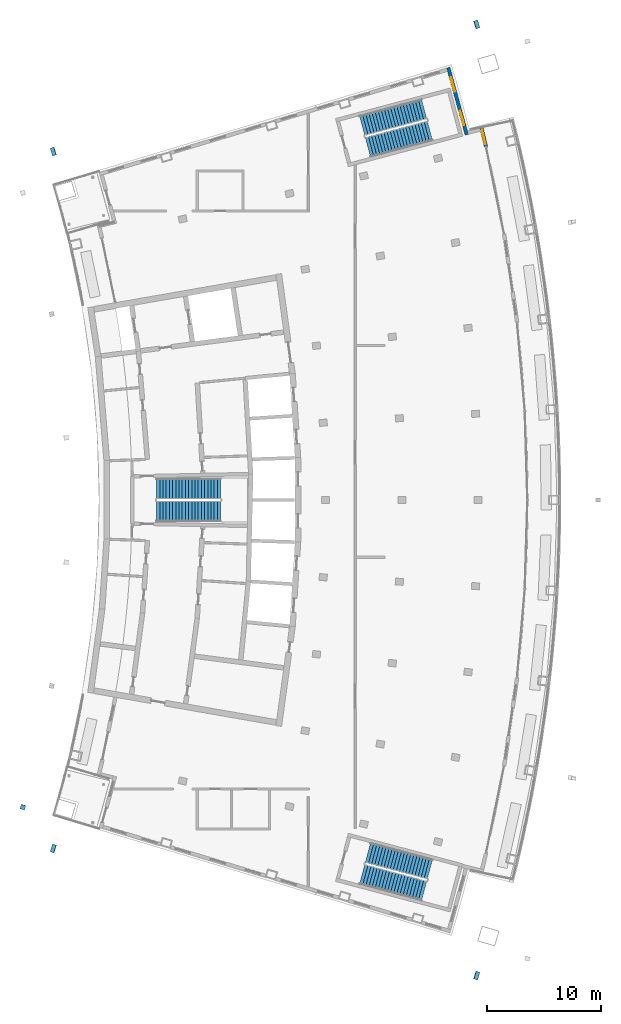
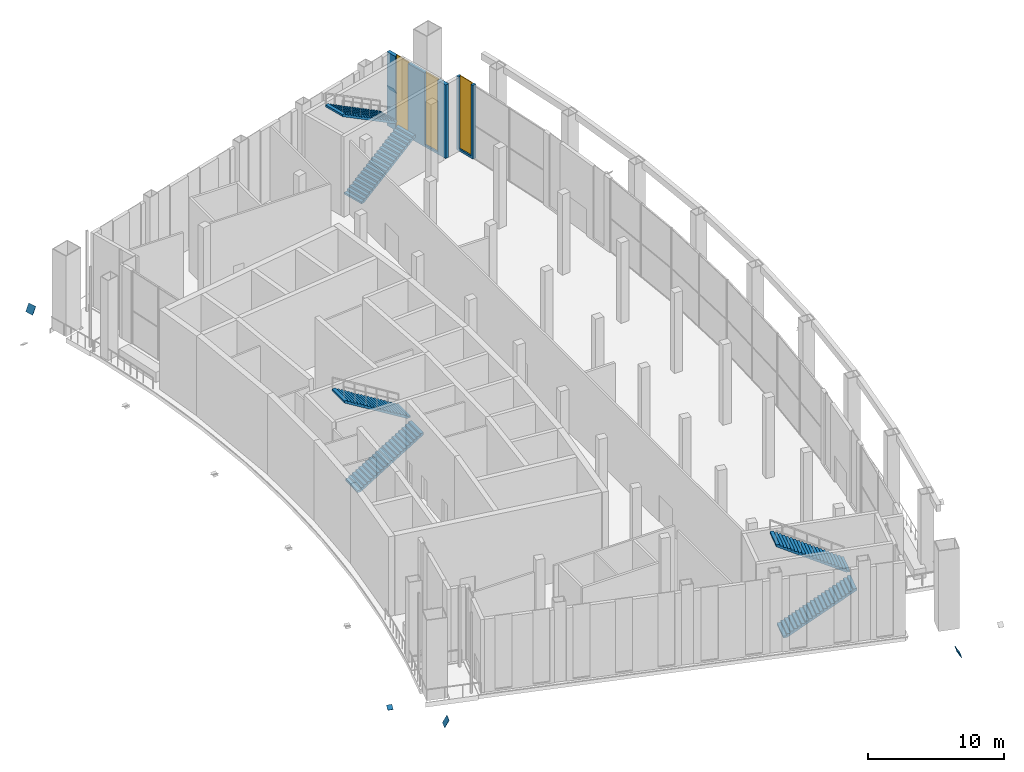
# One storey, part 17 of 25: 6 stair flights, 5 discrete accessories, 3 windows, 2 walls, 3 openings, 3 elements without a shape of their own.
"""IFC4 building model written with IfcOpenShell, lengths in metres."""

from ifc_helpers import new_model, si_unit, direction, frame, frame_2d, origin, origin_2d, place, context, subcontext, project, spatial, polyline, rectangle, outline, extrude, material, layer, layer_set, material_profile, profile_set, type_object, element, fill, aggregate, save


model = new_model("IFC4")

# Units and contexts
model_context = context("Model", 3, precision=1e-05, world=origin(), true_north=direction((0.0, 1.0)))
body_context = subcontext(model_context, "Body", "Model", "MODEL_VIEW")
ifc_project = project(units=[si_unit("LENGTHUNIT", "METRE"), si_unit("AREAUNIT", "SQUARE_METRE"), si_unit("VOLUMEUNIT", "CUBIC_METRE"), si_unit("PLANEANGLEUNIT", "RADIAN"), si_unit("MASSUNIT", "GRAM", prefix="KILO")], contexts=[model_context])

# Site, building, storey
site_placement = place(None, origin())
site = spatial("IfcSite", under=ifc_project, at=site_placement, CompositionType="ELEMENT")
building_placement = place(site_placement, origin())
building = spatial("IfcBuilding", under=site, at=building_placement, Name="Alderwake Tower", CompositionType="ELEMENT")
storey_placement = place(building_placement, frame((0.0, 0.0, 288.800048828125)))
storey = spatial("IfcBuildingStorey", under=building, at=storey_placement, Name="L72", CompositionType="ELEMENT", Elevation=288.800048828125)

# Wall, opening, window
ifc_material_1 = material(Name="Precast concrete C50/60 spandrel panel", Category="concrete")
ifc_layer_1 = layer(ifc_material_1, 0.300048828125)
ifc_layer_set_1 = layer_set([ifc_layer_1], Name="External wall EW1 Precast concrete C50/60 spandrel")
wall_type_1 = type_object("IfcWallType", Name="External wall EW1 Precast concrete C50/60 spandrel", PredefinedType="SOLIDWALL", material=ifc_layer_set_1)
wall_1_placement = place(storey_placement, frame((49.833740234375, 91.856201171875, 0.0), z_axis=(0.0, 0.0, 1.0), x_axis=(-0.238355878225, 0.971177880368, 0.0)))
wall_1 = element("IfcWall", 1, at=wall_1_placement, inside=storey, type_object=wall_type_1, Name="External wall 17", PredefinedType="SOLIDWALL", context=body_context, shape_type="SweptSolid", body=[
    extrude(rectangle(XDim=1.746337890625, YDim=0.300048828125, at=frame_2d((0.873046875, 0.0))), origin(), (0.0, 0.0, 1.0), 6.599853515625),
])
opening_1_placement = place(wall_1_placement, frame((0.22314453125, 0.0, 0.199951171875)))
opening_1 = element("IfcOpeningElement", 2, at=opening_1_placement, cuts=wall_1, Name="Opening W5", PredefinedType="OPENING", context=body_context, shape_type="SweptSolid", body=[
    extrude(rectangle(XDim=1.300048828125, YDim=6.5, at=frame_2d((0.64990234375, 3.25))), frame((0.0, 0.159912109375, 0.0), z_axis=(0.0, -1.0, 0.0), x_axis=(1.0, 0.0, 0.0)), (0.0, 0.0, 1.0), 0.320068359375),
])
ifc_material_2 = material(Name="Bronze tinted glass in aluminium frame", Category="aluminium")
window_type = type_object("IfcWindowType", Name="Window W5 garden floor tall", PartitioningType="SINGLE_PANEL", PredefinedType="WINDOW", material=ifc_material_2)
window_1_placement = place(opening_1_placement, origin())
window_1 = element("IfcWindow", 3, at=window_1_placement, inside=storey, type_object=window_type, Name="Window W5 garden floor tall", OverallHeight=6.5, OverallWidth=1.300048828125, PartitioningType="SINGLE_PANEL", PredefinedType="WINDOW", context=body_context, shape_type="SweptSolid", body=[
    extrude(rectangle(XDim=1.300048828125, YDim=6.5, at=frame_2d((0.64990234375, 3.25))), frame((0.0, 0.030029296875, 0.0), z_axis=(0.0, -1.0, 0.0), x_axis=(1.0, 0.0, 0.0)), (0.0, 0.0, 1.0), 0.06005859375),
])
fill(opening_1, window_1)

# Wall, openings, windows
ifc_material_3 = material(Name="Bronze metal cladding on lightweight framing")
ifc_layer_2 = layer(ifc_material_3, 0.300048828125)
ifc_layer_set_2 = layer_set([ifc_layer_2], Name="External wall EW2 bronze metal cladding")
wall_type_2 = type_object("IfcWallType", Name="External wall EW2 bronze metal cladding", PredefinedType="SOLIDWALL", material=ifc_layer_set_2)
wall_2_placement = place(storey_placement, frame((48.141357421875, 92.919921875, 0.0), z_axis=(0.0, 0.0, 1.0), x_axis=(-0.265081779461, 0.96422593317, 0.0)))
wall_2 = element("IfcWall", 4, at=wall_2_placement, inside=storey, type_object=wall_type_2, Name="External wall 19", PredefinedType="SOLIDWALL", context=body_context, shape_type="SweptSolid", body=[
    extrude(rectangle(XDim=6.07666015625, YDim=0.300048828125, at=frame_2d((3.038330078125, 0.0))), origin(), (0.0, 0.0, 1.0), 6.599853515625),
])
opening_2_placement = place(wall_2_placement, frame((0.869140625, 0.0, 0.199951171875)))
opening_2 = element("IfcOpeningElement", 5, at=opening_2_placement, cuts=wall_2, Name="Opening W5", PredefinedType="OPENING", context=body_context, shape_type="SweptSolid", body=[
    extrude(rectangle(XDim=1.300048828125, YDim=6.5, at=frame_2d((0.64990234375, 3.25))), frame((0.0, 0.159912109375, 0.0), z_axis=(0.0, -1.0, 0.0), x_axis=(1.0, 0.0, 0.0)), (0.0, 0.0, 1.0), 0.320068359375),
])
opening_3_placement = place(wall_2_placement, frame((3.90771484375, 0.0, 0.199951171875)))
opening_3 = element("IfcOpeningElement", 6, at=opening_3_placement, cuts=wall_2, Name="Opening W5", PredefinedType="OPENING", context=body_context, shape_type="SweptSolid", body=[
    extrude(rectangle(XDim=1.300048828125, YDim=6.5, at=frame_2d((0.64990234375, 3.25))), frame((0.0, 0.159912109375, 0.0), z_axis=(0.0, -1.0, 0.0), x_axis=(1.0, 0.0, 0.0)), (0.0, 0.0, 1.0), 0.320068359375),
])
window_2_placement = place(opening_2_placement, origin())
window_2 = element("IfcWindow", 7, at=window_2_placement, inside=storey, type_object=window_type, Name="Window W5 garden floor tall", OverallHeight=6.5, OverallWidth=1.300048828125, PartitioningType="SINGLE_PANEL", PredefinedType="WINDOW", context=body_context, shape_type="SweptSolid", body=[
    extrude(rectangle(XDim=1.300048828125, YDim=6.5, at=frame_2d((0.64990234375, 3.25))), frame((0.0, 0.030029296875, 0.0), z_axis=(0.0, -1.0, 0.0), x_axis=(1.0, 0.0, 0.0)), (0.0, 0.0, 1.0), 0.06005859375),
])
fill(opening_2, window_2)
window_3_placement = place(opening_3_placement, origin())
window_3 = element("IfcWindow", 8, at=window_3_placement, inside=storey, type_object=window_type, Name="Window W5 garden floor tall", OverallHeight=6.5, OverallWidth=1.300048828125, PartitioningType="SINGLE_PANEL", PredefinedType="WINDOW", context=body_context, shape_type="SweptSolid", body=[
    extrude(rectangle(XDim=1.300048828125, YDim=6.5, at=frame_2d((0.64990234375, 3.25))), frame((0.0, 0.030029296875, 0.0), z_axis=(0.0, -1.0, 0.0), x_axis=(1.0, 0.0, 0.0)), (0.0, 0.0, 1.0), 0.06005859375),
])
fill(opening_3, window_3)

# Stair, stair flights
ifc_material_4 = material(Name="Concrete C40/50", Category="concrete")
stair_type = type_object("IfcStairType", Name="Core exit stair", PredefinedType="HALF_TURN_STAIR", material=ifc_material_4)
stair_1_placement = place(storey_placement, origin())
stair_1 = element("IfcStair", 9, at=stair_1_placement, inside=storey, type_object=stair_type, Name="L72 Exit Stair B", PredefinedType="HALF_TURN_STAIR")
ifc_material_5 = material(Name="Concrete C40/50", Category="concrete")
ifc_layer_3 = layer(ifc_material_5, 0.14990234375)
ifc_layer_set_3 = layer_set([ifc_layer_3], Name="Core stair flight")
stair_flight_type = type_object("IfcStairFlightType", Name="Core stair flight", PredefinedType="STRAIGHT", material=ifc_layer_set_3)
stair_flight_1_placement = place(storey_placement, frame((21.0400390625, 60.02490234375, 0.0), z_axis=(0.0, 0.0, 1.0), x_axis=(1.0, 0.0, 0.0)))
stair_flight_1 = element("IfcStairFlight", 10, at=stair_flight_1_placement, type_object=stair_flight_type, Name="ST-B flight 1", NumberOfRisers=21, NumberOfTreads=20, PredefinedType="STRAIGHT", RiserHeight=0.171428571, TreadLength=0.28, context=body_context, shape_type="SweptSolid", body=[
    extrude(outline(polyline([(0.0, 0.0), (0.0, 0.17138671875), (0.280029296875, 0.17138671875), (0.280029296875, 0.3427734375), (0.56005859375, 0.3427734375), (0.56005859375, 0.514404296875), (0.840087890625, 0.514404296875), (0.840087890625, 0.685791015625), (1.1201171875, 0.685791015625), (1.1201171875, 0.857177734375), (1.39990234375, 0.857177734375), (1.39990234375, 1.028564453125), (1.679931640625, 1.028564453125), (1.679931640625, 1.199951171875), (1.9599609375, 1.199951171875), (1.9599609375, 1.371337890625), (2.239990234375, 1.371337890625), (2.239990234375, 1.54296875), (2.52001953125, 1.54296875), (2.52001953125, 1.71435546875), (2.800048828125, 1.71435546875), (2.800048828125, 1.8857421875), (3.080078125, 1.8857421875), (3.080078125, 2.05712890625), (3.360107421875, 2.05712890625), (3.360107421875, 2.228515625), (3.639892578125, 2.228515625), (3.639892578125, 2.39990234375), (3.919921875, 2.39990234375), (3.919921875, 2.571533203125), (4.199951171875, 2.571533203125), (4.199951171875, 2.742919921875), (4.47998046875, 2.742919921875), (4.47998046875, 2.914306640625), (4.760009765625, 2.914306640625), (4.760009765625, 3.085693359375), (5.0400390625, 3.085693359375), (5.0400390625, 3.257080078125), (5.320068359375, 3.257080078125), (5.320068359375, 3.428466796875), (5.60009765625, 3.428466796875), (5.60009765625, 3.60009765625), (5.60009765625, 3.252685546875), (0.287109375, 0.0), (0.0, 0.0)])), frame((0.0, 0.89990234375, 0.0), z_axis=(0.0, -1.0, 0.0), x_axis=(1.0, 0.0, 0.0)), (0.0, 0.0, 1.0), 1.800048828125),
])
stair_flight_2_placement = place(storey_placement, frame((26.639892578125, 61.97509765625, 3.599853515625), z_axis=(0.0, 0.0, 1.0), x_axis=(-1.0, 0.0, 0.0)))
stair_flight_2 = element("IfcStairFlight", 11, at=stair_flight_2_placement, type_object=stair_flight_type, Name="ST-B flight 2", NumberOfRisers=21, NumberOfTreads=20, PredefinedType="STRAIGHT", RiserHeight=0.171428571, TreadLength=0.28, context=body_context, shape_type="SweptSolid", body=[
    extrude(outline(polyline([(0.0, 0.0), (0.0, 0.17138671875), (0.280029296875, 0.17138671875), (0.280029296875, 0.3427734375), (0.56005859375, 0.3427734375), (0.56005859375, 0.514404296875), (0.840087890625, 0.514404296875), (0.840087890625, 0.685791015625), (1.1201171875, 0.685791015625), (1.1201171875, 0.857177734375), (1.39990234375, 0.857177734375), (1.39990234375, 1.028564453125), (1.679931640625, 1.028564453125), (1.679931640625, 1.199951171875), (1.9599609375, 1.199951171875), (1.9599609375, 1.371337890625), (2.239990234375, 1.371337890625), (2.239990234375, 1.54296875), (2.52001953125, 1.54296875), (2.52001953125, 1.71435546875), (2.800048828125, 1.71435546875), (2.800048828125, 1.8857421875), (3.080078125, 1.8857421875), (3.080078125, 2.05712890625), (3.360107421875, 2.05712890625), (3.360107421875, 2.228515625), (3.639892578125, 2.228515625), (3.639892578125, 2.39990234375), (3.919921875, 2.39990234375), (3.919921875, 2.571533203125), (4.199951171875, 2.571533203125), (4.199951171875, 2.742919921875), (4.47998046875, 2.742919921875), (4.47998046875, 2.914306640625), (4.760009765625, 2.914306640625), (4.760009765625, 3.085693359375), (5.0400390625, 3.085693359375), (5.0400390625, 3.257080078125), (5.320068359375, 3.257080078125), (5.320068359375, 3.428466796875), (5.60009765625, 3.428466796875), (5.60009765625, 3.60009765625), (5.60009765625, 3.252685546875), (0.287109375, 0.0), (0.0, 0.0)])), frame((0.0, 0.89990234375, 0.0), z_axis=(0.0, -1.0, 0.0), x_axis=(1.0, 0.0, 0.0)), (0.0, 0.0, 1.0), 1.800048828125),
])
aggregate(stair_1, [stair_flight_1, stair_flight_2])

stair_2_placement = place(storey_placement, origin())
stair_2 = element("IfcStair", 12, at=stair_2_placement, inside=storey, type_object=stair_type, Name="L72 Exit Stair A", PredefinedType="HALF_TURN_STAIR")
stair_flight_3_placement = place(storey_placement, frame((39.512939453125, 91.823974609375, 0.0), z_axis=(0.0, 0.0, 1.0), x_axis=(0.966309627437, 0.257382407951, 0.0)))
stair_flight_3 = element("IfcStairFlight", 13, at=stair_flight_3_placement, type_object=stair_flight_type, Name="ST-A flight 1", NumberOfRisers=21, NumberOfTreads=20, PredefinedType="STRAIGHT", RiserHeight=0.171428571, TreadLength=0.28, context=body_context, shape_type="SweptSolid", body=[
    extrude(outline(polyline([(0.0, 0.0), (0.0, 0.17138671875), (0.280029296875, 0.17138671875), (0.280029296875, 0.3427734375), (0.56005859375, 0.3427734375), (0.56005859375, 0.514404296875), (0.840087890625, 0.514404296875), (0.840087890625, 0.685791015625), (1.1201171875, 0.685791015625), (1.1201171875, 0.857177734375), (1.39990234375, 0.857177734375), (1.39990234375, 1.028564453125), (1.679931640625, 1.028564453125), (1.679931640625, 1.199951171875), (1.9599609375, 1.199951171875), (1.9599609375, 1.371337890625), (2.239990234375, 1.371337890625), (2.239990234375, 1.54296875), (2.52001953125, 1.54296875), (2.52001953125, 1.71435546875), (2.800048828125, 1.71435546875), (2.800048828125, 1.8857421875), (3.080078125, 1.8857421875), (3.080078125, 2.05712890625), (3.360107421875, 2.05712890625), (3.360107421875, 2.228515625), (3.639892578125, 2.228515625), (3.639892578125, 2.39990234375), (3.919921875, 2.39990234375), (3.919921875, 2.571533203125), (4.199951171875, 2.571533203125), (4.199951171875, 2.742919921875), (4.47998046875, 2.742919921875), (4.47998046875, 2.914306640625), (4.760009765625, 2.914306640625), (4.760009765625, 3.085693359375), (5.0400390625, 3.085693359375), (5.0400390625, 3.257080078125), (5.320068359375, 3.257080078125), (5.320068359375, 3.428466796875), (5.60009765625, 3.428466796875), (5.60009765625, 3.60009765625), (5.60009765625, 3.252685546875), (0.287109375, 0.0), (0.0, 0.0)])), frame((0.0, 0.89990234375, 0.0), z_axis=(0.0, -1.0, 0.0), x_axis=(1.0, 0.0, 0.0)), (0.0, 0.0, 1.0), 1.800048828125),
])
stair_flight_4_placement = place(storey_placement, frame((44.42236328125, 95.149658203125, 3.599853515625), z_axis=(0.0, 0.0, 1.0), x_axis=(-0.966309627437, -0.257382407951, 0.0)))
stair_flight_4 = element("IfcStairFlight", 14, at=stair_flight_4_placement, type_object=stair_flight_type, Name="ST-A flight 2", NumberOfRisers=21, NumberOfTreads=20, PredefinedType="STRAIGHT", RiserHeight=0.171428571, TreadLength=0.28, context=body_context, shape_type="SweptSolid", body=[
    extrude(outline(polyline([(0.0, 0.0), (0.0, 0.17138671875), (0.280029296875, 0.17138671875), (0.280029296875, 0.3427734375), (0.56005859375, 0.3427734375), (0.56005859375, 0.514404296875), (0.840087890625, 0.514404296875), (0.840087890625, 0.685791015625), (1.1201171875, 0.685791015625), (1.1201171875, 0.857177734375), (1.39990234375, 0.857177734375), (1.39990234375, 1.028564453125), (1.679931640625, 1.028564453125), (1.679931640625, 1.199951171875), (1.9599609375, 1.199951171875), (1.9599609375, 1.371337890625), (2.239990234375, 1.371337890625), (2.239990234375, 1.54296875), (2.52001953125, 1.54296875), (2.52001953125, 1.71435546875), (2.800048828125, 1.71435546875), (2.800048828125, 1.8857421875), (3.080078125, 1.8857421875), (3.080078125, 2.05712890625), (3.360107421875, 2.05712890625), (3.360107421875, 2.228515625), (3.639892578125, 2.228515625), (3.639892578125, 2.39990234375), (3.919921875, 2.39990234375), (3.919921875, 2.571533203125), (4.199951171875, 2.571533203125), (4.199951171875, 2.742919921875), (4.47998046875, 2.742919921875), (4.47998046875, 2.914306640625), (4.760009765625, 2.914306640625), (4.760009765625, 3.085693359375), (5.0400390625, 3.085693359375), (5.0400390625, 3.257080078125), (5.320068359375, 3.257080078125), (5.320068359375, 3.428466796875), (5.60009765625, 3.428466796875), (5.60009765625, 3.60009765625), (5.60009765625, 3.252685546875), (0.287109375, 0.0), (0.0, 0.0)])), frame((0.0, 0.89990234375, 0.0), z_axis=(0.0, -1.0, 0.0), x_axis=(1.0, 0.0, 0.0)), (0.0, 0.0, 1.0), 1.800048828125),
])
aggregate(stair_2, [stair_flight_3, stair_flight_4])

stair_3_placement = place(storey_placement, origin())
stair_3 = element("IfcStair", 15, at=stair_3_placement, inside=storey, type_object=stair_type, Name="L72 Exit Stair C", PredefinedType="HALF_TURN_STAIR")
stair_flight_5_placement = place(storey_placement, frame((39.010986328125, 28.291748046875, 0.0), z_axis=(0.0, 0.0, 1.0), x_axis=(0.966309627437, -0.257382407951, 0.0)))
stair_flight_5 = element("IfcStairFlight", 16, at=stair_flight_5_placement, type_object=stair_flight_type, Name="ST-C flight 1", NumberOfRisers=21, NumberOfTreads=20, PredefinedType="STRAIGHT", RiserHeight=0.171428571, TreadLength=0.28, context=body_context, shape_type="SweptSolid", body=[
    extrude(outline(polyline([(0.0, 0.0), (0.0, 0.17138671875), (0.280029296875, 0.17138671875), (0.280029296875, 0.3427734375), (0.56005859375, 0.3427734375), (0.56005859375, 0.514404296875), (0.840087890625, 0.514404296875), (0.840087890625, 0.685791015625), (1.1201171875, 0.685791015625), (1.1201171875, 0.857177734375), (1.39990234375, 0.857177734375), (1.39990234375, 1.028564453125), (1.679931640625, 1.028564453125), (1.679931640625, 1.199951171875), (1.9599609375, 1.199951171875), (1.9599609375, 1.371337890625), (2.239990234375, 1.371337890625), (2.239990234375, 1.54296875), (2.52001953125, 1.54296875), (2.52001953125, 1.71435546875), (2.800048828125, 1.71435546875), (2.800048828125, 1.8857421875), (3.080078125, 1.8857421875), (3.080078125, 2.05712890625), (3.360107421875, 2.05712890625), (3.360107421875, 2.228515625), (3.639892578125, 2.228515625), (3.639892578125, 2.39990234375), (3.919921875, 2.39990234375), (3.919921875, 2.571533203125), (4.199951171875, 2.571533203125), (4.199951171875, 2.742919921875), (4.47998046875, 2.742919921875), (4.47998046875, 2.914306640625), (4.760009765625, 2.914306640625), (4.760009765625, 3.085693359375), (5.0400390625, 3.085693359375), (5.0400390625, 3.257080078125), (5.320068359375, 3.257080078125), (5.320068359375, 3.428466796875), (5.60009765625, 3.428466796875), (5.60009765625, 3.60009765625), (5.60009765625, 3.252685546875), (0.287109375, 0.0), (0.0, 0.0)])), frame((0.0, 0.89990234375, 0.0), z_axis=(0.0, -1.0, 0.0), x_axis=(1.0, 0.0, 0.0)), (0.0, 0.0, 1.0), 1.800048828125),
])
stair_flight_6_placement = place(storey_placement, frame((44.92431640625, 28.734619140625, 3.599853515625), z_axis=(0.0, 0.0, 1.0), x_axis=(-0.966309627437, 0.257382407951, 0.0)))
stair_flight_6 = element("IfcStairFlight", 17, at=stair_flight_6_placement, type_object=stair_flight_type, Name="ST-C flight 2", NumberOfRisers=21, NumberOfTreads=20, PredefinedType="STRAIGHT", RiserHeight=0.171428571, TreadLength=0.28, context=body_context, shape_type="SweptSolid", body=[
    extrude(outline(polyline([(0.0, 0.0), (0.0, 0.17138671875), (0.280029296875, 0.17138671875), (0.280029296875, 0.3427734375), (0.56005859375, 0.3427734375), (0.56005859375, 0.514404296875), (0.840087890625, 0.514404296875), (0.840087890625, 0.685791015625), (1.1201171875, 0.685791015625), (1.1201171875, 0.857177734375), (1.39990234375, 0.857177734375), (1.39990234375, 1.028564453125), (1.679931640625, 1.028564453125), (1.679931640625, 1.199951171875), (1.9599609375, 1.199951171875), (1.9599609375, 1.371337890625), (2.239990234375, 1.371337890625), (2.239990234375, 1.54296875), (2.52001953125, 1.54296875), (2.52001953125, 1.71435546875), (2.800048828125, 1.71435546875), (2.800048828125, 1.8857421875), (3.080078125, 1.8857421875), (3.080078125, 2.05712890625), (3.360107421875, 2.05712890625), (3.360107421875, 2.228515625), (3.639892578125, 2.228515625), (3.639892578125, 2.39990234375), (3.919921875, 2.39990234375), (3.919921875, 2.571533203125), (4.199951171875, 2.571533203125), (4.199951171875, 2.742919921875), (4.47998046875, 2.742919921875), (4.47998046875, 2.914306640625), (4.760009765625, 2.914306640625), (4.760009765625, 3.085693359375), (5.0400390625, 3.085693359375), (5.0400390625, 3.257080078125), (5.320068359375, 3.257080078125), (5.320068359375, 3.428466796875), (5.60009765625, 3.428466796875), (5.60009765625, 3.60009765625), (5.60009765625, 3.252685546875), (0.287109375, 0.0), (0.0, 0.0)])), frame((0.0, 0.89990234375, 0.0), z_axis=(0.0, -1.0, 0.0), x_axis=(1.0, 0.0, 0.0)), (0.0, 0.0, 1.0), 1.800048828125),
])
aggregate(stair_3, [stair_flight_5, stair_flight_6])

# Discrete accessories
ifc_material_6 = material(Name="Steel ASTM A572 Grade 50", Category="steel")
ifc_material_profile_1 = material_profile(ifc_material_6, rectangle(XDim=0.699951171875, YDim=0.699951171875, at=origin_2d()), Name="BOX 700X700X45 cap")
ifc_profile_set_1 = profile_set([ifc_material_profile_1], Name="Steel ASTM A572 Grade 50")
discrete_accessory_type_1 = type_object("IfcDiscreteAccessoryType", Name="End cap plate BOX 700X700X45", PredefinedType="USERDEFINED", material=ifc_profile_set_1)
for number, where, z_axis, x_axis, name in (
    (18, (49.0009765625, 19.451171875, 0.0), (0.833799847145, -0.253409757466, 0.49047049832), (0.290788330333, 0.956787409482, 0.0), "End cap BRS5.2.0A N"),
    (19, (12.031005859375, 30.550537109375, 0.0), (-0.837134891693, 0.254423349436, 0.484225084411), (-0.290788330333, -0.956787409482, 0.0), "End cap BRS5.2.0B2 N"),
    (20, (49.0009765625, 102.548828125, 0.0), (0.833799847145, 0.253409757466, 0.49047049832), (-0.290788330333, 0.956787409482, 0.0), "End cap BRN5.2.0A N"),
    (21, (12.031005859375, 91.449462890625, 0.0), (-0.837134891693, -0.254423349436, 0.484225084411), (0.290788330333, -0.956787409482, 0.0), "End cap BRN5.2.0B2 N"),
):
    element("IfcDiscreteAccessory", number, at=place(storey_placement, frame(where, z_axis=z_axis, x_axis=x_axis)), inside=storey, type_object=discrete_accessory_type_1, Name=name, ObjectType="END CAP", PredefinedType="USERDEFINED", context=body_context, shape_type="SweptSolid", body=[
        extrude(rectangle(XDim=0.699951171875, YDim=0.699951171875, at=origin_2d()), origin(), (0.0, 0.0, 1.0), 0.02978515625),
    ])
ifc_material_7 = material(Name="Steel ASTM A572 Grade 50", Category="steel")
ifc_material_profile_2 = material_profile(ifc_material_7, rectangle(XDim=0.41552734375, YDim=0.445556640625, at=origin_2d()), Name="W14X342 cap")
ifc_profile_set_2 = profile_set([ifc_material_profile_2], Name="Steel ASTM A572 Grade 50")
discrete_accessory_type_2 = type_object("IfcDiscreteAccessoryType", Name="End cap plate W14X342", PredefinedType="USERDEFINED", material=ifc_profile_set_2)
discrete_accessory_placement = place(storey_placement, frame((9.359619140625, 34.171630859375, 0.0), z_axis=(-0.105869651339, -0.43162242469, 0.895820126716), x_axis=(0.971210844098, -0.238221527798, 0.0)))
element("IfcDiscreteAccessory", 22, at=discrete_accessory_placement, inside=storey, type_object=discrete_accessory_type_2, Name="End cap BRR5.2.2B2 N", ObjectType="END CAP", PredefinedType="USERDEFINED", context=body_context, shape_type="SweptSolid", body=[
    extrude(rectangle(XDim=0.41552734375, YDim=0.445556640625, at=origin_2d()), origin(), (0.0, 0.0, 1.0), 0.030029296875),
])

save(model, "model.ifc")
